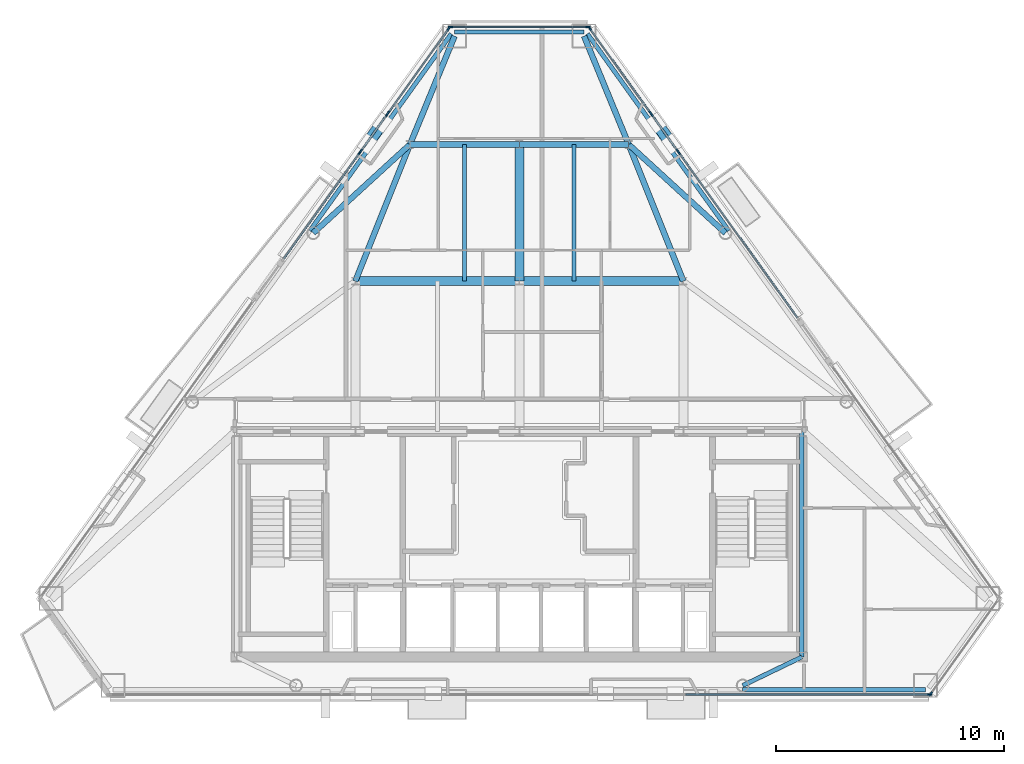
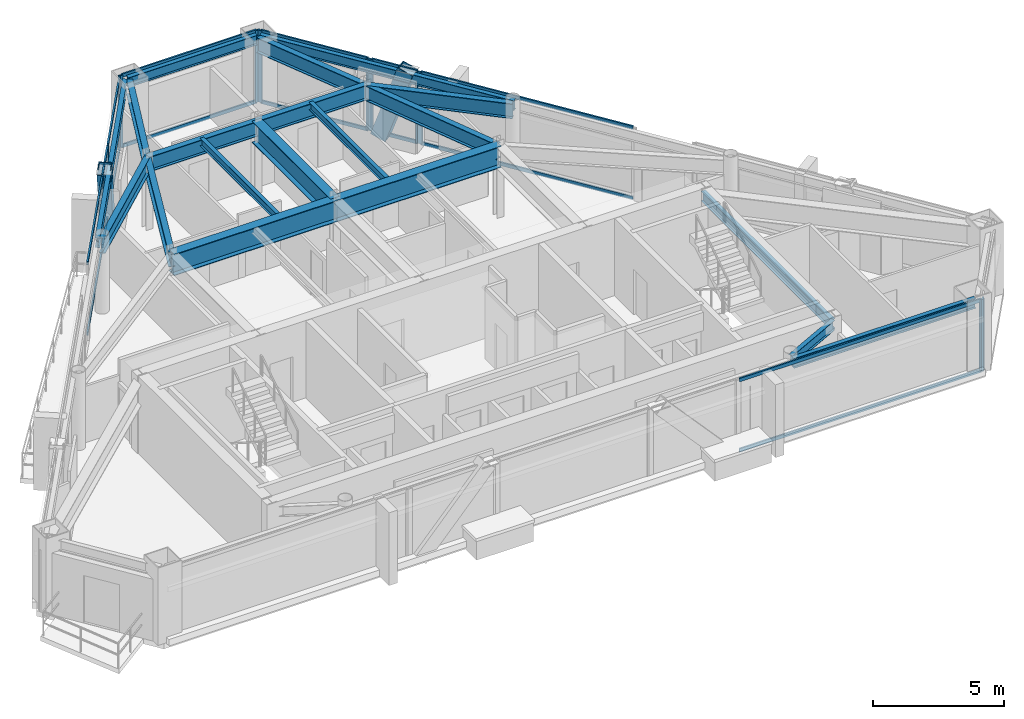
# One storey, part 4 of 11: 32 members, 19 beams, 9 elements without a shape of their own.
"""IFC4 building model written with IfcOpenShell, lengths in metres."""

from ifc_helpers import new_model, si_unit, direction, frame, origin, origin_2d, place, context, subcontext, project, spatial, rectangle, hollow_rectangle, i_section, extrude, material, layer, layer_set, material_profile, profile_set, type_object, element, aggregate, save


model = new_model("IFC4")

# Units and contexts
model_context = context("Model", 3, precision=1e-05, world=origin(), true_north=direction((0.0, 1.0)))
body_context = subcontext(model_context, "Body", "Model", "MODEL_VIEW")
ifc_project = project(units=[si_unit("LENGTHUNIT", "METRE"), si_unit("AREAUNIT", "SQUARE_METRE"), si_unit("VOLUMEUNIT", "CUBIC_METRE"), si_unit("PLANEANGLEUNIT", "RADIAN"), si_unit("MASSUNIT", "GRAM", prefix="KILO")], contexts=[model_context])

# Site, building, storey
site_placement = place(None, origin())
site = spatial("IfcSite", under=ifc_project, at=site_placement, CompositionType="ELEMENT")
building_placement = place(site_placement, origin())
building = spatial("IfcBuilding", under=site, at=building_placement, Name="Talgorran Terracotta Tower", CompositionType="ELEMENT")
storey_placement = place(building_placement, frame((0.0, 0.0, 218.10009765625)))
storey = spatial("IfcBuildingStorey", under=building, at=storey_placement, Name="L57", CompositionType="ELEMENT", Elevation=218.10009765625)

# Beams
ifc_material_1 = material(Name="Steel Grade 350 (350L0)", Category="steel")
ifc_material_profile_1 = material_profile(ifc_material_1, i_section(OverallWidth=0.39990234375, OverallDepth=1.0, WebThickness=0.01611328125, FlangeThickness=0.031005859375, at=origin_2d()), Name="1000WB296")
ifc_profile_set_1 = profile_set([ifc_material_profile_1], Name="Steel Grade 350 (350L0)")
beam_type_1 = type_object("IfcBeamType", Name="BM_1000WB296", PredefinedType="BEAM", material=ifc_profile_set_1)
for number, where, z_axis, x_axis, name in (
    (1, (-7.199951171875, 2.39990234375, 2.844970703125), (1.0, 0.0, 0.0), (0.0, 1.0, 0.0), "L57 Floor Girder G04"),
    (2, (0.0, 2.39990234375, 2.844970703125), (1.0, 0.0, 0.0), (0.0, 1.0, 0.0), "L57 Floor Girder G05"),
):
    element("IfcBeam", number, at=place(storey_placement, frame(where, z_axis=z_axis, x_axis=x_axis)), inside=storey, type_object=beam_type_1, Name=name, PredefinedType="BEAM", context=body_context, shape_type="SweptSolid", body=[
        extrude(i_section(OverallWidth=0.39990234375, OverallDepth=1.0, WebThickness=0.01611328125, FlangeThickness=0.031005859375, at=origin_2d()), origin(), (0.0, 0.0, 1.0), 7.199951171875),
    ])
beam_1_placement = place(storey_placement, frame((0.0, 2.39990234375, 2.844970703125), z_axis=(0.0, 1.0, 0.0), x_axis=(-1.0, 0.0, 0.0)))
element("IfcBeam", 3, at=beam_1_placement, inside=storey, type_object=beam_type_1, Name="L57 Floor Girder G09", PredefinedType="BEAM", context=body_context, shape_type="SweptSolid", body=[
    extrude(i_section(OverallWidth=0.39990234375, OverallDepth=1.0, WebThickness=0.01611328125, FlangeThickness=0.031005859375, at=origin_2d()), origin(), (0.0, 0.0, 1.0), 6.0),
])
ifc_material_2 = material(Name="Steel S355 (300PLUS)", Category="steel")
ifc_material_profile_2 = material_profile(ifc_material_2, i_section(OverallWidth=0.25, OverallDepth=0.699951171875, WebThickness=0.011962890625, FlangeThickness=0.02392578125, at=origin_2d()), Name="700WB150")
ifc_profile_set_2 = profile_set([ifc_material_profile_2], Name="Steel S355 (300PLUS)")
beam_type_2 = type_object("IfcBeamType", Name="BM_700WB150", PredefinedType="BEAM", material=ifc_profile_set_2)
for number, where, z_axis, x_axis, name in (
    (4, (-7.199951171875, 2.39990234375, 2.994873046875), (0.371377648723, 0.928481901832, 0.0), (-0.928481901832, 0.371377648723, 0.0), "L57 Floor Girder G08"),
    (5, (7.199951171875, 2.39990234375, 2.994873046875), (-0.371377648723, 0.928481901832, 0.0), (-0.928481901832, -0.371377648723, 0.0), "L57 Floor Girder G10"),
):
    element("IfcBeam", number, at=place(storey_placement, frame(where, z_axis=z_axis, x_axis=x_axis)), inside=storey, type_object=beam_type_2, Name=name, PredefinedType="BEAM", context=body_context, shape_type="SweptSolid", body=[
        extrude(i_section(OverallWidth=0.25, OverallDepth=0.699951171875, WebThickness=0.011962890625, FlangeThickness=0.02392578125, at=origin_2d()), origin(), (0.0, 0.0, 1.0), 6.462158203125),
    ])
for number, where, z_axis, x_axis, name in (
    (6, (-4.800048828125, 8.39990234375, 2.994873046875), (1.0, 0.0, 0.0), (0.0, 1.0, 0.0), "L57 Floor Girder G11"),
    (7, (0.0, 8.39990234375, 2.994873046875), (1.0, 0.0, 0.0), (0.0, 1.0, 0.0), "L57 Floor Girder G12"),
):
    element("IfcBeam", number, at=place(storey_placement, frame(where, z_axis=z_axis, x_axis=x_axis)), inside=storey, type_object=beam_type_2, Name=name, PredefinedType="BEAM", context=body_context, shape_type="SweptSolid", body=[
        extrude(i_section(OverallWidth=0.25, OverallDepth=0.699951171875, WebThickness=0.011962890625, FlangeThickness=0.02392578125, at=origin_2d()), origin(), (0.0, 0.0, 1.0), 4.800048828125),
    ])
for number, where, z_axis, x_axis, name in (
    (8, (-4.800048828125, 8.39990234375, 2.994873046875), (-0.737419827565, -0.675434673313, 0.0), (0.675434673313, -0.737419827565, 0.0), "L57 Floor Girder G13"),
    (9, (4.800048828125, 8.39990234375, 2.994873046875), (0.737419827565, -0.675434673313, 0.0), (0.675434673313, 0.737419827565, 0.0), "L57 Floor Girder G14"),
):
    element("IfcBeam", number, at=place(storey_placement, frame(where, z_axis=z_axis, x_axis=x_axis)), inside=storey, type_object=beam_type_2, Name=name, PredefinedType="BEAM", context=body_context, shape_type="SweptSolid", body=[
        extrude(i_section(OverallWidth=0.25, OverallDepth=0.699951171875, WebThickness=0.011962890625, FlangeThickness=0.02392578125, at=origin_2d()), origin(), (0.0, 0.0, 1.0), 5.75830078125),
    ])
for number, where, z_axis, x_axis, name in (
    (10, (-4.800048828125, 8.39990234375, 2.994873046875), (0.380723528032, 0.924688918071, 0.0), (-0.924688918071, 0.380723528032, 0.0), "L57 Floor Girder G15"),
    (11, (4.800048828125, 8.39990234375, 2.994873046875), (-0.380723528032, 0.924688918071, 0.0), (-0.924688918071, -0.380723528032, 0.0), "L57 Floor Girder G16"),
):
    element("IfcBeam", number, at=place(storey_placement, frame(where, z_axis=z_axis, x_axis=x_axis)), inside=storey, type_object=beam_type_2, Name=name, PredefinedType="BEAM", context=body_context, shape_type="SweptSolid", body=[
        extrude(i_section(OverallWidth=0.25, OverallDepth=0.699951171875, WebThickness=0.011962890625, FlangeThickness=0.02392578125, at=origin_2d()), origin(), (0.0, 0.0, 1.0), 5.140380859375),
    ])
ifc_material_profile_3 = material_profile(ifc_material_2, i_section(OverallWidth=0.17138671875, OverallDepth=0.355712890625, WebThickness=0.00732421875, FlangeThickness=0.011474609375, at=origin_2d()), Name="360UB50.7")
ifc_profile_set_3 = profile_set([ifc_material_profile_3], Name="Steel S355 (300PLUS)")
beam_type_3 = type_object("IfcBeamType", Name="BM_JS_360UB51", PredefinedType="JOIST", material=ifc_profile_set_3)
for number, where, z_axis, x_axis, name in (
    (12, (-2.39990234375, 2.39990234375, 3.1669921875), (0.0, 1.0, 0.0), (-1.0, 0.0, 0.0), "L57 Secondary Joist J03"),
    (13, (2.39990234375, 2.39990234375, 3.1669921875), (0.0, 1.0, 0.0), (-1.0, 0.0, 0.0), "L57 Secondary Joist J04"),
):
    element("IfcBeam", number, at=place(storey_placement, frame(where, z_axis=z_axis, x_axis=x_axis)), inside=storey, type_object=beam_type_3, Name=name, PredefinedType="JOIST", context=body_context, shape_type="SweptSolid", body=[
        extrude(i_section(OverallWidth=0.17138671875, OverallDepth=0.355712890625, WebThickness=0.00732421875, FlangeThickness=0.011474609375, at=origin_2d()), origin(), (0.0, 0.0, 1.0), 6.0),
    ])
ifc_material_profile_4 = material_profile(ifc_material_2, i_section(OverallWidth=0.18994140625, OverallDepth=0.45703125, WebThickness=0.009033203125, FlangeThickness=0.014404296875, at=origin_2d()), Name="460UB74.6")
ifc_profile_set_4 = profile_set([ifc_material_profile_4], Name="Steel S355 (300PLUS)")
beam_type_4 = type_object("IfcBeamType", Name="BM_SP_460UB74", PredefinedType="SPANDREL", material=ifc_profile_set_4)
beam_2_placement = place(storey_placement, frame((9.806640625, -15.5322265625, 3.116455078125), z_axis=(1.0, 0.0, 0.0), x_axis=(0.0, 1.0, 0.0)))
element("IfcBeam", 14, at=beam_2_placement, inside=storey, type_object=beam_type_4, Name="L57 Perimeter Spandrel Beam FC2-MC3", PredefinedType="SPANDREL", context=body_context, shape_type="SweptSolid", body=[
    extrude(i_section(OverallWidth=0.18994140625, OverallDepth=0.45703125, WebThickness=0.009033203125, FlangeThickness=0.014404296875, at=origin_2d()), origin(), (0.0, 0.0, 1.0), 8.0234375),
])
beam_3_placement = place(storey_placement, frame((9.192626953125, 4.615478515625, 3.116455078125), z_axis=(-0.583110094649, 0.812393142216, 0.0), x_axis=(-0.812393142216, -0.583110094649, 0.0)))
element("IfcBeam", 15, at=beam_3_placement, inside=storey, type_object=beam_type_4, Name="L57 Perimeter Spandrel Beam FC4-MC5", PredefinedType="SPANDREL", context=body_context, shape_type="SweptSolid", body=[
    extrude(i_section(OverallWidth=0.18994140625, OverallDepth=0.45703125, WebThickness=0.009033203125, FlangeThickness=0.014404296875, at=origin_2d()), origin(), (0.0, 0.0, 1.0), 10.638427734375),
])
beam_4_placement = place(storey_placement, frame((2.843017578125, 13.3330078125, 3.116455078125), z_axis=(-1.0, 0.0, 0.0), x_axis=(0.0, -1.0, 0.0)))
element("IfcBeam", 16, at=beam_4_placement, inside=storey, type_object=beam_type_4, Name="L57 Perimeter Spandrel Beam MC5-MC6", PredefinedType="SPANDREL", context=body_context, shape_type="SweptSolid", body=[
    extrude(i_section(OverallWidth=0.18994140625, OverallDepth=0.45703125, WebThickness=0.009033203125, FlangeThickness=0.014404296875, at=origin_2d()), origin(), (0.0, 0.0, 1.0), 5.68603515625),
])
beam_5_placement = place(storey_placement, frame((-2.9892578125, 13.258056640625, 3.116455078125), z_axis=(-0.583110094649, -0.812393142216, 0.0), x_axis=(0.812393142216, -0.583110094649, 0.0)))
element("IfcBeam", 17, at=beam_5_placement, inside=storey, type_object=beam_type_4, Name="L57 Perimeter Spandrel Beam MC6-FC5", PredefinedType="SPANDREL", context=body_context, shape_type="SweptSolid", body=[
    extrude(i_section(OverallWidth=0.18994140625, OverallDepth=0.45703125, WebThickness=0.009033203125, FlangeThickness=0.014404296875, at=origin_2d()), origin(), (0.0, 0.0, 1.0), 10.638427734375),
])
beam_6_placement = place(storey_placement, frame((12.39990234375, -14.10009765625, 3.116455078125), z_axis=(-0.900513862936, -0.434827302109, 0.0), x_axis=(0.434827302109, -0.900513862936, 0.0)))
element("IfcBeam", 18, at=beam_6_placement, inside=storey, type_object=beam_type_4, Name="L57 South-East Core Tie Beam", PredefinedType="SPANDREL", context=body_context, shape_type="SweptSolid", body=[
    extrude(i_section(OverallWidth=0.18994140625, OverallDepth=0.45703125, WebThickness=0.009033203125, FlangeThickness=0.014404296875, at=origin_2d()), origin(), (0.0, 0.0, 1.0), 2.879638671875),
])
beam_7_placement = place(storey_placement, frame((12.39990234375, -14.10009765625, 3.116455078125), z_axis=(0.0, 1.0, 0.0), x_axis=(-1.0, 0.0, 0.0)))
element("IfcBeam", 19, at=beam_7_placement, inside=storey, type_object=beam_type_4, Name="L57 Core Frame Beam CFE", PredefinedType="SPANDREL", context=body_context, shape_type="SweptSolid", body=[
    extrude(i_section(OverallWidth=0.18994140625, OverallDepth=0.45703125, WebThickness=0.009033203125, FlangeThickness=0.014404296875, at=origin_2d()), origin(), (0.0, 0.0, 1.0), 9.900146484375),
])

# Members
ifc_material_profile_5 = material_profile(ifc_material_1, hollow_rectangle(XDim=0.52001953125, YDim=0.659912109375, WallThickness=0.034912109375, at=origin_2d()), Name="WBOX660X520X35")
ifc_profile_set_5 = profile_set([ifc_material_profile_5], Name="Steel Grade 350 (350L0)")
member_type_1 = type_object("IfcMemberType", Name="MB_MEGA_660", PredefinedType="BRACE", material=ifc_profile_set_5)
for number, where, z_axis, x_axis, name in (
    (20, (6.0126953125, 9.354248046875, -0.025146484375), (0.185814401638, -0.258817785407, 0.947885205128), (0.812328931226, 0.583199543461, 0.0), "L57 Exterior Face Mega-Brace MB-3 (NEU)"),
    (21, (-6.0126953125, 9.354248046875, -0.025146484375), (-0.185814401638, -0.258817785407, 0.947885205128), (0.812328931226, -0.583199543461, 0.0), "L57 Exterior Face Mega-Brace MB-3 (NWU)"),
):
    element("IfcMember", number, at=place(storey_placement, frame(where, z_axis=z_axis, x_axis=x_axis)), inside=storey, type_object=member_type_1, Name=name, PredefinedType="BRACE", context=body_context, shape_type="SweptSolid", body=[
        extrude(hollow_rectangle(XDim=0.52001953125, YDim=0.659912109375, WallThickness=0.034912109375, at=origin_2d()), origin(), (0.0, 0.0, 1.0), 3.581787109375),
    ])

# Curtain wall, member
ifc_material_3 = material(Name="High-Wind Unitised Glazing", Category="glass")
ifc_layer = layer(ifc_material_3, 0.2099609375, Name="CW_SYS3_RES_HIGH")
ifc_layer_set = layer_set([ifc_layer], Name="High-Wind Unitised Glazing")
curtain_wall_type = type_object("IfcCurtainWallType", Name="CW_SYS3_RES_HIGH", PredefinedType="NOTDEFINED", material=ifc_layer_set)
curtain_wall_1_placement = place(storey_placement, origin())
curtain_wall_1 = element("IfcCurtainWall", 22, at=curtain_wall_1_placement, inside=storey, type_object=curtain_wall_type, Name="CW-L57-F1E", PredefinedType="NOTDEFINED")
ifc_material_4 = material(Name="Architectural Aluminium 6063-T6", Category="aluminium")
ifc_material_profile_6 = material_profile(ifc_material_4, rectangle(XDim=0.070068359375, YDim=0.199951171875, at=origin_2d()), Name="CWM70X200")
ifc_profile_set_6 = profile_set([ifc_material_profile_6], Name="Architectural Aluminium 6063-T6")
member_type_2 = type_object("IfcMemberType", Name="MUL_70X200", PredefinedType="MULLION", material=ifc_profile_set_6)
member_1_placement = place(storey_placement, frame((18.00048828125, -15.752197265625, 0.0), z_axis=(0.0, 0.0, 1.0), x_axis=(0.0, 1.0, 0.0)))
member_1 = element("IfcMember", 23, at=member_1_placement, type_object=member_type_2, Name="CW-L57-1E mullion 2", PredefinedType="MULLION", context=body_context, shape_type="SweptSolid", body=[
    extrude(rectangle(XDim=0.070068359375, YDim=0.199951171875, at=origin_2d()), origin(), (0.0, 0.0, 1.0), 3.344970703125),
])

curtain_wall_2_placement = place(storey_placement, origin())
curtain_wall_2 = element("IfcCurtainWall", 24, at=curtain_wall_2_placement, inside=storey, type_object=curtain_wall_type, Name="CW-L57-F2", PredefinedType="NOTDEFINED")
member_2_placement = place(storey_placement, frame((18.055908203125, -15.723876953125, 0.0), z_axis=(0.0, 0.0, 1.0), x_axis=(-0.812390492916, 0.583113785654, 0.0)))
member_2 = element("IfcMember", 25, at=member_2_placement, type_object=member_type_2, Name="CW-L57-2 mullion 1", PredefinedType="MULLION", context=body_context, shape_type="SweptSolid", body=[
    extrude(rectangle(XDim=0.070068359375, YDim=0.199951171875, at=origin_2d()), origin(), (0.0, 0.0, 1.0), 3.344970703125),
])
aggregate(curtain_wall_2, [member_2])

curtain_wall_3_placement = place(storey_placement, origin())
curtain_wall_3 = element("IfcCurtainWall", 26, at=curtain_wall_3_placement, inside=storey, type_object=curtain_wall_type, Name="CW-L57-F41", PredefinedType="NOTDEFINED")
member_3_placement = place(storey_placement, frame((7.00390625, 8.0419921875, 0.0), z_axis=(0.0, 0.0, 1.0), x_axis=(-0.812389005263, -0.583115858237, 0.0)))
member_3 = element("IfcMember", 27, at=member_3_placement, type_object=member_type_2, Name="CW-L57-41 mullion 2", PredefinedType="MULLION", context=body_context, shape_type="SweptSolid", body=[
    extrude(rectangle(XDim=0.070068359375, YDim=0.199951171875, at=origin_2d()), origin(), (0.0, 0.0, 1.0), 3.344970703125),
])

# Curtain wall, members
curtain_wall_4_placement = place(storey_placement, origin())
curtain_wall_4 = element("IfcCurtainWall", 28, at=curtain_wall_4_placement, inside=storey, type_object=curtain_wall_type, Name="CW-L57-F41B", PredefinedType="NOTDEFINED")
member_4_placement = place(storey_placement, frame((6.957275390625, 8.107177734375, 0.0), z_axis=(0.0, 0.0, 1.0), x_axis=(-0.812381021692, -0.583126980678, 0.0)))
member_4 = element("IfcMember", 29, at=member_4_placement, type_object=member_type_2, Name="CW-L57-41B mullion 1", PredefinedType="MULLION", context=body_context, shape_type="SweptSolid", body=[
    extrude(rectangle(XDim=0.070068359375, YDim=0.199951171875, at=origin_2d()), origin(), (0.0, 0.0, 1.0), 3.344970703125),
])
member_5_placement = place(storey_placement, frame((5.798828125, 9.720947265625, 0.0), z_axis=(0.0, 0.0, 1.0), x_axis=(-0.812381021692, -0.583126980678, 0.0)))
member_5 = element("IfcMember", 30, at=member_5_placement, type_object=member_type_2, Name="CW-L57-41B mullion 2", PredefinedType="MULLION", context=body_context, shape_type="SweptSolid", body=[
    extrude(rectangle(XDim=0.070068359375, YDim=0.199951171875, at=origin_2d()), origin(), (0.0, 0.0, 1.0), 3.344970703125),
])

curtain_wall_5_placement = place(storey_placement, origin())
curtain_wall_5 = element("IfcCurtainWall", 31, at=curtain_wall_5_placement, inside=storey, type_object=curtain_wall_type, Name="CW-L57-F41C", PredefinedType="NOTDEFINED")
member_6_placement = place(storey_placement, frame((5.752197265625, 9.7861328125, 0.0), z_axis=(0.0, 0.0, 1.0), x_axis=(-0.812392177554, -0.58311143862, 0.0)))
member_6 = element("IfcMember", 32, at=member_6_placement, type_object=member_type_2, Name="CW-L57-41C mullion 1", PredefinedType="MULLION", context=body_context, shape_type="SweptSolid", body=[
    extrude(rectangle(XDim=0.070068359375, YDim=0.199951171875, at=origin_2d()), origin(), (0.0, 0.0, 1.0), 3.344970703125),
])
member_7_placement = place(storey_placement, frame((3.092041015625, 13.4921875, 0.0), z_axis=(0.0, 0.0, 1.0), x_axis=(-0.812392177554, -0.58311143862, 0.0)))
member_7 = element("IfcMember", 33, at=member_7_placement, type_object=member_type_2, Name="CW-L57-41C mullion 2", PredefinedType="MULLION", context=body_context, shape_type="SweptSolid", body=[
    extrude(rectangle(XDim=0.070068359375, YDim=0.199951171875, at=origin_2d()), origin(), (0.0, 0.0, 1.0), 3.344970703125),
])

curtain_wall_6_placement = place(storey_placement, origin())
curtain_wall_6 = element("IfcCurtainWall", 34, at=curtain_wall_6_placement, inside=storey, type_object=curtain_wall_type, Name="CW-L57-F4", PredefinedType="NOTDEFINED")
member_8_placement = place(storey_placement, frame((3.01318359375, 13.552978515625, 0.0), z_axis=(0.0, 0.0, 1.0), x_axis=(0.0, -1.0, 0.0)))
member_8 = element("IfcMember", 35, at=member_8_placement, type_object=member_type_2, Name="CW-L57-4 mullion 1", PredefinedType="MULLION", context=body_context, shape_type="SweptSolid", body=[
    extrude(rectangle(XDim=0.070068359375, YDim=0.199951171875, at=origin_2d()), origin(), (0.0, 0.0, 1.0), 3.344970703125),
])
member_9_placement = place(storey_placement, frame((-3.01318359375, 13.552978515625, 0.0), z_axis=(0.0, 0.0, 1.0), x_axis=(0.0, -1.0, 0.0)))
member_9 = element("IfcMember", 36, at=member_9_placement, type_object=member_type_2, Name="CW-L57-4 mullion 2", PredefinedType="MULLION", context=body_context, shape_type="SweptSolid", body=[
    extrude(rectangle(XDim=0.070068359375, YDim=0.199951171875, at=origin_2d()), origin(), (0.0, 0.0, 1.0), 3.344970703125),
])

curtain_wall_7_placement = place(storey_placement, origin())
curtain_wall_7 = element("IfcCurtainWall", 37, at=curtain_wall_7_placement, inside=storey, type_object=curtain_wall_type, Name="CW-L57-F60", PredefinedType="NOTDEFINED")
member_10_placement = place(storey_placement, frame((-3.092041015625, 13.4921875, 0.0), z_axis=(0.0, 0.0, 1.0), x_axis=(0.812392177554, -0.58311143862, 0.0)))
member_10 = element("IfcMember", 38, at=member_10_placement, type_object=member_type_2, Name="CW-L57-60 mullion 1", PredefinedType="MULLION", context=body_context, shape_type="SweptSolid", body=[
    extrude(rectangle(XDim=0.070068359375, YDim=0.199951171875, at=origin_2d()), origin(), (0.0, 0.0, 1.0), 3.344970703125),
])
member_11_placement = place(storey_placement, frame((-5.752197265625, 9.7861328125, 0.0), z_axis=(0.0, 0.0, 1.0), x_axis=(0.812392177554, -0.58311143862, 0.0)))
member_11 = element("IfcMember", 39, at=member_11_placement, type_object=member_type_2, Name="CW-L57-60 mullion 2", PredefinedType="MULLION", context=body_context, shape_type="SweptSolid", body=[
    extrude(rectangle(XDim=0.070068359375, YDim=0.199951171875, at=origin_2d()), origin(), (0.0, 0.0, 1.0), 3.344970703125),
])

curtain_wall_8_placement = place(storey_placement, origin())
curtain_wall_8 = element("IfcCurtainWall", 40, at=curtain_wall_8_placement, inside=storey, type_object=curtain_wall_type, Name="CW-L57-F60B", PredefinedType="NOTDEFINED")
member_12_placement = place(storey_placement, frame((-5.798828125, 9.720947265625, 0.0), z_axis=(0.0, 0.0, 1.0), x_axis=(0.812381021692, -0.583126980678, 0.0)))
member_12 = element("IfcMember", 41, at=member_12_placement, type_object=member_type_2, Name="CW-L57-60B mullion 1", PredefinedType="MULLION", context=body_context, shape_type="SweptSolid", body=[
    extrude(rectangle(XDim=0.070068359375, YDim=0.199951171875, at=origin_2d()), origin(), (0.0, 0.0, 1.0), 3.344970703125),
])
member_13_placement = place(storey_placement, frame((-6.957275390625, 8.107177734375, 0.0), z_axis=(0.0, 0.0, 1.0), x_axis=(0.812381021692, -0.583126980678, 0.0)))
member_13 = element("IfcMember", 42, at=member_13_placement, type_object=member_type_2, Name="CW-L57-60B mullion 2", PredefinedType="MULLION", context=body_context, shape_type="SweptSolid", body=[
    extrude(rectangle(XDim=0.070068359375, YDim=0.199951171875, at=origin_2d()), origin(), (0.0, 0.0, 1.0), 3.344970703125),
])

# Curtain wall, member
curtain_wall_9_placement = place(storey_placement, origin())
curtain_wall_9 = element("IfcCurtainWall", 43, at=curtain_wall_9_placement, inside=storey, type_object=curtain_wall_type, Name="CW-L57-F60C", PredefinedType="NOTDEFINED")
member_14_placement = place(storey_placement, frame((-7.00390625, 8.042236328125, 0.0), z_axis=(0.0, 0.0, 1.0), x_axis=(0.812389554572, -0.583115092947, 0.0)))
member_14 = element("IfcMember", 44, at=member_14_placement, type_object=member_type_2, Name="CW-L57-60C mullion 1", PredefinedType="MULLION", context=body_context, shape_type="SweptSolid", body=[
    extrude(rectangle(XDim=0.070068359375, YDim=0.199951171875, at=origin_2d()), origin(), (0.0, 0.0, 1.0), 3.344970703125),
])

# Member
ifc_material_profile_7 = material_profile(ifc_material_4, rectangle(XDim=0.070068359375, YDim=0.159912109375, at=origin_2d()), Name="CWT70X160")
ifc_profile_set_7 = profile_set([ifc_material_profile_7], Name="Architectural Aluminium 6063-T6")
member_type_3 = type_object("IfcMemberType", Name="TRN_70X160", PredefinedType="USERDEFINED", material=ifc_profile_set_7)
member_15_placement = place(storey_placement, frame((7.315673828125, -15.752197265625, 0.034912109375), z_axis=(1.0, 0.0, 0.0), x_axis=(0.0, 1.0, 0.0)))
member_15 = element("IfcMember", 45, at=member_15_placement, type_object=member_type_3, Name="CW-L57-1E transom 1.1", ObjectType="TRANSOM", PredefinedType="USERDEFINED", context=body_context, shape_type="SweptSolid", body=[
    extrude(rectangle(XDim=0.070068359375, YDim=0.159912109375, at=origin_2d()), origin(), (0.0, 0.0, 1.0), 10.649658203125),
])

member_16_placement = place(storey_placement, frame((7.315673828125, -15.752197265625, 3.309814453125), z_axis=(1.0, 0.0, 0.0), x_axis=(0.0, 1.0, 0.0)))
member_16 = element("IfcMember", 46, at=member_16_placement, type_object=member_type_3, Name="CW-L57-1E transom 1.2", ObjectType="TRANSOM", PredefinedType="USERDEFINED", context=body_context, shape_type="SweptSolid", body=[
    extrude(rectangle(XDim=0.070068359375, YDim=0.159912109375, at=origin_2d()), origin(), (0.0, 0.0, 1.0), 10.649658203125),
])

aggregate(curtain_wall_1, [member_1, member_15, member_16])

member_17_placement = place(storey_placement, frame((12.20556640625, 0.795166015625, 0.034912109375), z_axis=(-0.58312356524, 0.812383473282, 0.0), x_axis=(-0.812383473282, -0.58312356524, 0.0)))
member_17 = element("IfcMember", 47, at=member_17_placement, type_object=member_type_3, Name="CW-L57-41 transom 1.1", ObjectType="TRANSOM", PredefinedType="USERDEFINED", context=body_context, shape_type="SweptSolid", body=[
    extrude(rectangle(XDim=0.070068359375, YDim=0.159912109375, at=origin_2d()), origin(), (0.0, 0.0, 1.0), 8.885498046875),
])

member_18_placement = place(storey_placement, frame((12.20556640625, 0.795166015625, 3.309814453125), z_axis=(-0.58312356524, 0.812383473282, 0.0), x_axis=(-0.812383473282, -0.58312356524, 0.0)))
member_18 = element("IfcMember", 48, at=member_18_placement, type_object=member_type_3, Name="CW-L57-41 transom 1.2", ObjectType="TRANSOM", PredefinedType="USERDEFINED", context=body_context, shape_type="SweptSolid", body=[
    extrude(rectangle(XDim=0.070068359375, YDim=0.159912109375, at=origin_2d()), origin(), (0.0, 0.0, 1.0), 8.885498046875),
])

aggregate(curtain_wall_3, [member_3, member_17, member_18])

member_19_placement = place(storey_placement, frame((6.936767578125, 8.135498046875, 0.034912109375), z_axis=(-0.5831162641, 0.812388713943, 0.0), x_axis=(-0.812388713943, -0.5831162641, 0.0)))
member_19 = element("IfcMember", 49, at=member_19_placement, type_object=member_type_3, Name="CW-L57-41B transom 1.1", ObjectType="TRANSOM", PredefinedType="USERDEFINED", context=body_context, shape_type="SweptSolid", body=[
    extrude(rectangle(XDim=0.070068359375, YDim=0.159912109375, at=origin_2d()), origin(), (0.0, 0.0, 1.0), 1.916748046875),
])

member_20_placement = place(storey_placement, frame((6.936767578125, 8.135498046875, 3.309814453125), z_axis=(-0.5831162641, 0.812388713943, 0.0), x_axis=(-0.812388713943, -0.5831162641, 0.0)))
member_20 = element("IfcMember", 50, at=member_20_placement, type_object=member_type_3, Name="CW-L57-41B transom 1.2", ObjectType="TRANSOM", PredefinedType="USERDEFINED", context=body_context, shape_type="SweptSolid", body=[
    extrude(rectangle(XDim=0.070068359375, YDim=0.159912109375, at=origin_2d()), origin(), (0.0, 0.0, 1.0), 1.916748046875),
])

aggregate(curtain_wall_4, [member_4, member_5, member_19, member_20])

member_21_placement = place(storey_placement, frame((5.731689453125, 9.814453125, 0.034912109375), z_axis=(-0.583128614423, 0.812379848987, 0.0), x_axis=(-0.812379848987, -0.583128614423, 0.0)))
member_21 = element("IfcMember", 51, at=member_21_placement, type_object=member_type_3, Name="CW-L57-41C transom 1.1", ObjectType="TRANSOM", PredefinedType="USERDEFINED", context=body_context, shape_type="SweptSolid", body=[
    extrude(rectangle(XDim=0.070068359375, YDim=0.159912109375, at=origin_2d()), origin(), (0.0, 0.0, 1.0), 4.491943359375),
])

member_22_placement = place(storey_placement, frame((5.731689453125, 9.814453125, 3.309814453125), z_axis=(-0.583128614423, 0.812379848987, 0.0), x_axis=(-0.812379848987, -0.583128614423, 0.0)))
member_22 = element("IfcMember", 52, at=member_22_placement, type_object=member_type_3, Name="CW-L57-41C transom 1.2", ObjectType="TRANSOM", PredefinedType="USERDEFINED", context=body_context, shape_type="SweptSolid", body=[
    extrude(rectangle(XDim=0.070068359375, YDim=0.159912109375, at=origin_2d()), origin(), (0.0, 0.0, 1.0), 4.491943359375),
])

aggregate(curtain_wall_5, [member_6, member_7, member_21, member_22])

member_23_placement = place(storey_placement, frame((2.978271484375, 13.552978515625, 0.034912109375), z_axis=(-1.0, 0.0, 0.0), x_axis=(0.0, -1.0, 0.0)))
member_23 = element("IfcMember", 53, at=member_23_placement, type_object=member_type_3, Name="CW-L57-4 transom 1.1", ObjectType="TRANSOM", PredefinedType="USERDEFINED", context=body_context, shape_type="SweptSolid", body=[
    extrude(rectangle(XDim=0.070068359375, YDim=0.159912109375, at=origin_2d()), origin(), (0.0, 0.0, 1.0), 5.95654296875),
])

member_24_placement = place(storey_placement, frame((2.978271484375, 13.552978515625, 3.309814453125), z_axis=(-1.0, 0.0, 0.0), x_axis=(0.0, -1.0, 0.0)))
member_24 = element("IfcMember", 54, at=member_24_placement, type_object=member_type_3, Name="CW-L57-4 transom 1.2", ObjectType="TRANSOM", PredefinedType="USERDEFINED", context=body_context, shape_type="SweptSolid", body=[
    extrude(rectangle(XDim=0.070068359375, YDim=0.159912109375, at=origin_2d()), origin(), (0.0, 0.0, 1.0), 5.95654296875),
])

aggregate(curtain_wall_6, [member_8, member_9, member_23, member_24])

member_25_placement = place(storey_placement, frame((-3.1123046875, 13.463623046875, 0.034912109375), z_axis=(-0.583128614423, -0.812379848987, 0.0), x_axis=(0.812379848987, -0.583128614423, 0.0)))
member_25 = element("IfcMember", 55, at=member_25_placement, type_object=member_type_3, Name="CW-L57-60 transom 1.1", ObjectType="TRANSOM", PredefinedType="USERDEFINED", context=body_context, shape_type="SweptSolid", body=[
    extrude(rectangle(XDim=0.070068359375, YDim=0.159912109375, at=origin_2d()), origin(), (0.0, 0.0, 1.0), 4.491943359375),
])

member_26_placement = place(storey_placement, frame((-3.1123046875, 13.463623046875, 3.309814453125), z_axis=(-0.583128614423, -0.812379848987, 0.0), x_axis=(0.812379848987, -0.583128614423, 0.0)))
member_26 = element("IfcMember", 56, at=member_26_placement, type_object=member_type_3, Name="CW-L57-60 transom 1.2", ObjectType="TRANSOM", PredefinedType="USERDEFINED", context=body_context, shape_type="SweptSolid", body=[
    extrude(rectangle(XDim=0.070068359375, YDim=0.159912109375, at=origin_2d()), origin(), (0.0, 0.0, 1.0), 4.491943359375),
])

aggregate(curtain_wall_7, [member_10, member_11, member_25, member_26])

member_27_placement = place(storey_placement, frame((-5.819091796875, 9.692626953125, 0.034912109375), z_axis=(-0.5831162641, -0.812388713943, 0.0), x_axis=(0.812388713943, -0.5831162641, 0.0)))
member_27 = element("IfcMember", 57, at=member_27_placement, type_object=member_type_3, Name="CW-L57-60B transom 1.1", ObjectType="TRANSOM", PredefinedType="USERDEFINED", context=body_context, shape_type="SweptSolid", body=[
    extrude(rectangle(XDim=0.070068359375, YDim=0.159912109375, at=origin_2d()), origin(), (0.0, 0.0, 1.0), 1.916748046875),
])

member_28_placement = place(storey_placement, frame((-5.819091796875, 9.692626953125, 3.309814453125), z_axis=(-0.5831162641, -0.812388713943, 0.0), x_axis=(0.812388713943, -0.5831162641, 0.0)))
member_28 = element("IfcMember", 58, at=member_28_placement, type_object=member_type_3, Name="CW-L57-60B transom 1.2", ObjectType="TRANSOM", PredefinedType="USERDEFINED", context=body_context, shape_type="SweptSolid", body=[
    extrude(rectangle(XDim=0.070068359375, YDim=0.159912109375, at=origin_2d()), origin(), (0.0, 0.0, 1.0), 1.916748046875),
])

aggregate(curtain_wall_8, [member_12, member_13, member_27, member_28])

member_29_placement = place(storey_placement, frame((-7.024169921875, 8.013671875, 0.034912109375), z_axis=(-0.583135652612, -0.812374796909, 0.0), x_axis=(0.812374796909, -0.583135652612, 0.0)))
member_29 = element("IfcMember", 59, at=member_29_placement, type_object=member_type_3, Name="CW-L57-60C transom 1.1", ObjectType="TRANSOM", PredefinedType="USERDEFINED", context=body_context, shape_type="SweptSolid", body=[
    extrude(rectangle(XDim=0.070068359375, YDim=0.159912109375, at=origin_2d()), origin(), (0.0, 0.0, 1.0), 5.69140625),
])

member_30_placement = place(storey_placement, frame((-7.024169921875, 8.013671875, 3.309814453125), z_axis=(-0.583135652612, -0.812374796909, 0.0), x_axis=(0.812374796909, -0.583135652612, 0.0)))
member_30 = element("IfcMember", 60, at=member_30_placement, type_object=member_type_3, Name="CW-L57-60C transom 1.2", ObjectType="TRANSOM", PredefinedType="USERDEFINED", context=body_context, shape_type="SweptSolid", body=[
    extrude(rectangle(XDim=0.070068359375, YDim=0.159912109375, at=origin_2d()), origin(), (0.0, 0.0, 1.0), 5.69140625),
])

aggregate(curtain_wall_9, [member_14, member_29, member_30])

save(model, "model.ifc")
